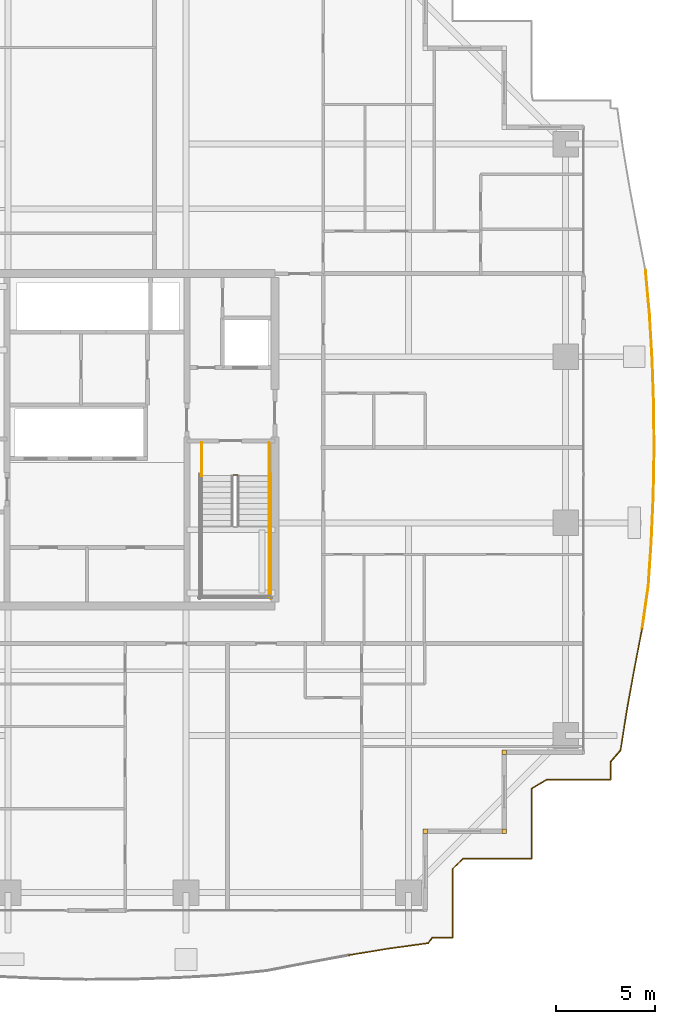
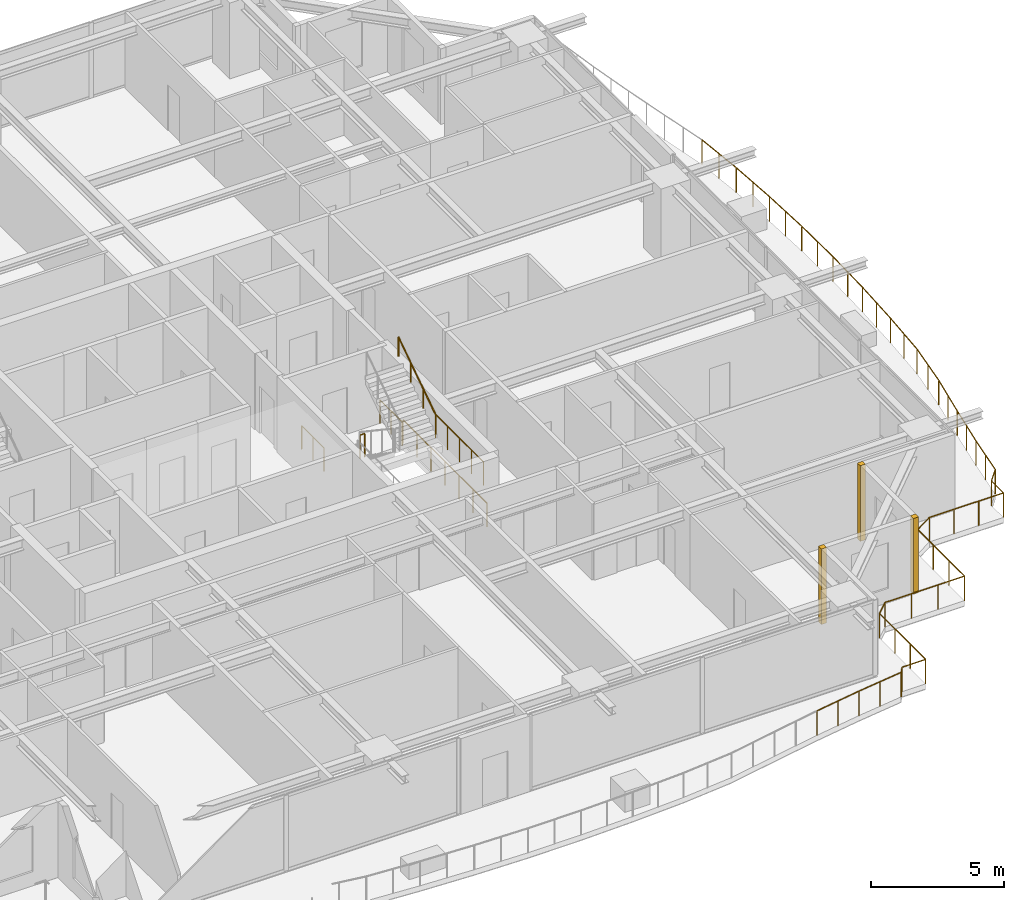
# One storey, part 35 of 36: 9 railings, 3 coverings.
"""IFC4 building model written with IfcOpenShell, lengths in metres."""

from ifc_helpers import new_model, si_unit, direction, frame, origin, origin_2d, place, context, subcontext, project, spatial, rectangle, circle, extrude, source, transform, mapped, material, layer, layer_set, type_object, element, save


model = new_model("IFC4")

# Units and contexts
model_context = context("Model", 3, precision=1e-05, world=origin(), true_north=direction((0.0, 1.0)))
body_context = subcontext(model_context, "Body", "Model", "MODEL_VIEW")
ifc_project = project(units=[si_unit("LENGTHUNIT", "METRE"), si_unit("AREAUNIT", "SQUARE_METRE"), si_unit("VOLUMEUNIT", "CUBIC_METRE"), si_unit("PLANEANGLEUNIT", "RADIAN"), si_unit("MASSUNIT", "GRAM", prefix="KILO")], contexts=[model_context])

# Site, building, storey
site_placement = place(None, origin())
site = spatial("IfcSite", under=ifc_project, at=site_placement, CompositionType="ELEMENT")
building_placement = place(site_placement, origin())
building = spatial("IfcBuilding", under=site, at=building_placement, Name="Serunith Strait Residences", CompositionType="ELEMENT")
storey_placement = place(building_placement, frame((0.0, 0.0, 131.39990234375)))
storey = spatial("IfcBuildingStorey", under=building, at=storey_placement, Name="L32", CompositionType="ELEMENT", Elevation=131.39990234375)

# Railings
ifc_material_1 = material(Name="Stainless Steel & Laminated Glass Balustrade", Category="steel")
railing_type_1 = type_object("IfcRailingType", Name="RLG-BALC-1150", PredefinedType="BALUSTRADE", material=ifc_material_1)
railing_1_placement = place(storey_placement, frame((60.139892578125, 33.77001953125, -0.0498046875)))
element("IfcRailing", 1, at=railing_1_placement, inside=storey, type_object=railing_type_1, Name="L32 Swirling Balcony Perimeter Balustrade 4", PredefinedType="BALUSTRADE", context=body_context, shape_type="SweptSolid", body=[
    extrude(circle(Radius=0.02392578125, at=origin_2d()), frame((0.000244140625, -0.001953125, 1.1259765625), z_axis=(0.090466870141, -0.995899465512, 0.0), x_axis=(0.995899465512, 0.090466870141, 0.0)), (0.0, 0.0, 1.0), 2.233154296875),
    extrude(circle(Radius=0.02392578125, at=origin_2d()), frame((0.202392578125, -2.22998046875, 1.1259765625), z_axis=(0.058476717655, -0.998288772597, 0.0), x_axis=(0.998288772597, 0.058476717655, 0.0)), (0.0, 0.0, 1.0), 2.271484375),
    extrude(circle(Radius=0.02392578125, at=origin_2d()), frame((0.33544921875, -4.50146484375, 1.1259765625), z_axis=(0.034956296936, -0.999388841895, 0.0), x_axis=(0.999388841895, 0.034956296936, 0.0)), (0.0, 0.0, 1.0), 2.293701171875),
    extrude(circle(Radius=0.02392578125, at=origin_2d()), frame((0.415771484375, -6.7978515625, 1.1259765625), z_axis=(0.008565675595, -0.999963313928, 0.0), x_axis=(0.999963313928, 0.008565675595, 0.0)), (0.0, 0.0, 1.0), 2.3046875),
    extrude(circle(Radius=0.02392578125, at=origin_2d()), frame((0.435546875, -9.1064453125, 1.1259765625), z_axis=(-0.018634908237, -0.999826355021, 0.0), x_axis=(0.999826355021, -0.018634908237, 0.0)), (0.0, 0.0, 1.0), 2.3017578125),
    extrude(circle(Radius=0.02392578125, at=origin_2d()), frame((0.392578125, -11.411865234375, 1.1259765625), z_axis=(-0.044135799157, -0.999025540831, 0.0), x_axis=(0.999025540831, -0.044135799157, 0.0)), (0.0, 0.0, 1.0), 2.2861328125),
    extrude(circle(Radius=0.02392578125, at=origin_2d()), frame((0.291259765625, -13.69970703125, 1.1259765625), z_axis=(-0.066232625327, -0.997804208922, 0.0), x_axis=(0.997804208922, -0.066232625327, 0.0)), (0.0, 0.0, 1.0), 2.25927734375),
    extrude(circle(Radius=0.02392578125, at=origin_2d()), frame((0.141357421875, -15.9580078125, 1.1259765625), z_axis=(-0.143115440517, -0.989706002147, 0.0), x_axis=(0.989706002147, -0.143115440517, 0.0)), (0.0, 0.0, 1.0), 2.19482421875),
    extrude(circle(Radius=0.02099609375, at=origin_2d()), origin(), (0.0, 0.0, 1.0), 1.099853515625),
    extrude(circle(Radius=0.02099609375, at=origin_2d()), frame((0.10107421875, -1.114013671875, 0.0)), (0.0, 0.0, 1.0), 1.099853515625),
    extrude(circle(Radius=0.02099609375, at=origin_2d()), frame((0.202392578125, -2.22802734375, 0.0)), (0.0, 0.0, 1.0), 1.099853515625),
    extrude(circle(Radius=0.02099609375, at=origin_2d()), frame((0.26904296875, -3.36376953125, 0.0)), (0.0, 0.0, 1.0), 1.099853515625),
    extrude(circle(Radius=0.02099609375, at=origin_2d()), frame((0.33544921875, -4.49951171875, 0.0)), (0.0, 0.0, 1.0), 1.099853515625),
    extrude(circle(Radius=0.02099609375, at=origin_2d()), frame((0.37548828125, -5.647705078125, 0.0)), (0.0, 0.0, 1.0), 1.099853515625),
    extrude(circle(Radius=0.02099609375, at=origin_2d()), frame((0.415771484375, -6.7958984375, 0.0)), (0.0, 0.0, 1.0), 1.099853515625),
    extrude(circle(Radius=0.02099609375, at=origin_2d()), frame((0.42578125, -7.9501953125, 0.0)), (0.0, 0.0, 1.0), 1.099853515625),
    extrude(circle(Radius=0.02099609375, at=origin_2d()), frame((0.435546875, -9.1044921875, 0.0)), (0.0, 0.0, 1.0), 1.099853515625),
    extrude(circle(Radius=0.02099609375, at=origin_2d()), frame((0.4140625, -10.25732421875, 0.0)), (0.0, 0.0, 1.0), 1.099853515625),
    extrude(circle(Radius=0.02099609375, at=origin_2d()), frame((0.392578125, -11.409912109375, 0.0)), (0.0, 0.0, 1.0), 1.099853515625),
    extrude(circle(Radius=0.02099609375, at=origin_2d()), frame((0.342041015625, -12.5537109375, 0.0)), (0.0, 0.0, 1.0), 1.099853515625),
    extrude(circle(Radius=0.02099609375, at=origin_2d()), frame((0.29150390625, -13.69775390625, 0.0)), (0.0, 0.0, 1.0), 1.099853515625),
    extrude(circle(Radius=0.02099609375, at=origin_2d()), frame((0.216552734375, -14.826904296875, 0.0)), (0.0, 0.0, 1.0), 1.099853515625),
    extrude(circle(Radius=0.02099609375, at=origin_2d()), frame((0.1416015625, -15.9560546875, 0.0)), (0.0, 0.0, 1.0), 1.099853515625),
    extrude(circle(Radius=0.02099609375, at=origin_2d()), frame((-0.015625, -17.044189453125, 0.0)), (0.0, 0.0, 1.0), 1.099853515625),
    extrude(circle(Radius=0.02099609375, at=origin_2d()), frame((-0.173095703125, -18.13232421875, 0.0)), (0.0, 0.0, 1.0), 1.099853515625),
])
railing_2_placement = place(storey_placement, frame((59.966796875, 15.6376953125, -0.0498046875)))
element("IfcRailing", 2, at=railing_2_placement, inside=storey, type_object=railing_type_1, Name="L32 Swirling Balcony Perimeter Balustrade 5", PredefinedType="BALUSTRADE", context=body_context, shape_type="SweptSolid", body=[
    extrude(circle(Radius=0.02392578125, at=origin_2d()), frame((-0.00048828125, -0.001953125, 1.1259765625), z_axis=(-0.189618358229, -0.981857870683, 0.0), x_axis=(0.981857870683, -0.189618358229, 0.0)), (0.0, 0.0, 1.0), 2.121826171875),
    extrude(circle(Radius=0.02392578125, at=origin_2d()), frame((-0.4033203125, -2.089111328125, 1.1259765625), z_axis=(-0.177703135425, -0.984084140539, 0.0), x_axis=(0.984084140539, -0.177703135425, 0.0)), (0.0, 0.0, 1.0), 2.06787109375),
    extrude(circle(Radius=0.02392578125, at=origin_2d()), frame((-0.771484375, -4.1279296875, 1.1259765625), z_axis=(-0.155321504469, -0.987863973556, 0.0), x_axis=(0.987863973556, -0.155321504469, 0.0)), (0.0, 0.0, 1.0), 2.030029296875),
    extrude(circle(Radius=0.02392578125, at=origin_2d()), frame((-1.08837890625, -6.13671875, 1.1259765625), z_axis=(-0.651131852255, -0.758964630914, 0.0), x_axis=(0.758964630914, -0.651131852255, 0.0)), (0.0, 0.0, 1.0), 0.763427734375),
    extrude(circle(Radius=0.02392578125, at=origin_2d()), frame((-1.5869140625, -6.7197265625, 1.1259765625), z_axis=(0.0, -1.0, 0.0), x_axis=(1.0, 0.0, 0.0)), (0.0, 0.0, 1.0), 0.89599609375),
    extrude(circle(Radius=0.02392578125, at=origin_2d()), frame((-1.5888671875, -7.61767578125, 1.1259765625), z_axis=(-1.0, 0.0, 0.0), x_axis=(0.0, -1.0, 0.0)), (0.0, 0.0, 1.0), 3.213134765625),
    extrude(circle(Radius=0.02392578125, at=origin_2d()), frame((-4.8056640625, -7.61865234375, 1.1259765625), z_axis=(-0.859284472606, -0.511497991333, 0.0), x_axis=(0.511497991333, -0.859284472606, 0.0)), (0.0, 0.0, 1.0), 0.9072265625),
    extrude(circle(Radius=0.02392578125, at=origin_2d()), frame((-5.5869140625, -8.085693359375, 1.1259765625), z_axis=(0.0, -1.0, 0.0), x_axis=(1.0, 0.0, 0.0)), (0.0, 0.0, 1.0), 3.530029296875),
    extrude(circle(Radius=0.02099609375, at=origin_2d()), origin(), (0.0, 0.0, 1.0), 1.099853515625),
    extrude(circle(Radius=0.02099609375, at=origin_2d()), frame((-0.20166015625, -1.04345703125, 0.0)), (0.0, 0.0, 1.0), 1.099853515625),
    extrude(circle(Radius=0.02099609375, at=origin_2d()), frame((-0.403076171875, -2.087158203125, 0.0)), (0.0, 0.0, 1.0), 1.099853515625),
    extrude(circle(Radius=0.02099609375, at=origin_2d()), frame((-0.587158203125, -3.1064453125, 0.0)), (0.0, 0.0, 1.0), 1.099853515625),
    extrude(circle(Radius=0.02099609375, at=origin_2d()), frame((-0.771240234375, -4.1259765625, 0.0)), (0.0, 0.0, 1.0), 1.099853515625),
    extrude(circle(Radius=0.02099609375, at=origin_2d()), frame((-0.92919921875, -5.130615234375, 0.0)), (0.0, 0.0, 1.0), 1.099853515625),
    extrude(circle(Radius=0.02099609375, at=origin_2d()), frame((-1.087158203125, -6.13525390625, 0.0)), (0.0, 0.0, 1.0), 1.099853515625),
    extrude(circle(Radius=0.02099609375, at=origin_2d()), frame((-1.5869140625, -6.7177734375, 0.0)), (0.0, 0.0, 1.0), 1.099853515625),
    extrude(circle(Radius=0.02099609375, at=origin_2d()), frame((-1.5869140625, -7.61767578125, 0.0)), (0.0, 0.0, 1.0), 1.099853515625),
    extrude(circle(Radius=0.02099609375, at=origin_2d()), frame((-2.6591796875, -7.61767578125, 0.0)), (0.0, 0.0, 1.0), 1.099853515625),
    extrude(circle(Radius=0.02099609375, at=origin_2d()), frame((-3.731689453125, -7.61767578125, 0.0)), (0.0, 0.0, 1.0), 1.099853515625),
    extrude(circle(Radius=0.02099609375, at=origin_2d()), frame((-4.803955078125, -7.61767578125, 0.0)), (0.0, 0.0, 1.0), 1.099853515625),
    extrude(circle(Radius=0.02099609375, at=origin_2d()), frame((-5.5869140625, -8.083740234375, 0.0)), (0.0, 0.0, 1.0), 1.099853515625),
    extrude(circle(Radius=0.02099609375, at=origin_2d()), frame((-5.5869140625, -9.26171875, 0.0)), (0.0, 0.0, 1.0), 1.099853515625),
    extrude(circle(Radius=0.02099609375, at=origin_2d()), frame((-5.5869140625, -10.439697265625, 0.0)), (0.0, 0.0, 1.0), 1.099853515625),
    extrude(circle(Radius=0.02099609375, at=origin_2d()), frame((-5.5869140625, -11.61767578125, 0.0)), (0.0, 0.0, 1.0), 1.099853515625),
])
railing_3_placement = place(storey_placement, frame((54.3798828125, 4.02001953125, -0.0498046875)))
element("IfcRailing", 3, at=railing_3_placement, inside=storey, type_object=railing_type_1, Name="L32 Swirling Balcony Perimeter Balustrade 6", PredefinedType="BALUSTRADE", context=body_context, shape_type="SweptSolid", body=[
    extrude(circle(Radius=0.02392578125, at=origin_2d()), frame((-0.001953125, 0.0, 1.1259765625), z_axis=(-1.0, 0.0, 0.0), x_axis=(0.0, -1.0, 0.0)), (0.0, 0.0, 1.0), 3.453857421875),
    extrude(circle(Radius=0.02392578125, at=origin_2d()), frame((-3.459228515625, -0.00146484375, 1.1259765625), z_axis=(-0.721737893974, -0.692166462928, 0.0), x_axis=(0.692166462928, -0.721737893974, 0.0)), (0.0, 0.0, 1.0), 0.747314453125),
    extrude(circle(Radius=0.02392578125, at=origin_2d()), frame((-4.0, -0.52197265625, 1.1259765625), z_axis=(0.0, -1.0, 0.0), x_axis=(1.0, 0.0, 0.0)), (0.0, 0.0, 1.0), 3.47607421875),
    extrude(circle(Radius=0.02392578125, at=origin_2d()), frame((-4.001953125, -4.0, 1.1259765625), z_axis=(-1.0, 0.0, 0.0), x_axis=(0.0, -1.0, 0.0)), (0.0, 0.0, 1.0), 1.021484375),
    extrude(circle(Radius=0.02392578125, at=origin_2d()), frame((-5.026611328125, -4.001708984375, 1.1259765625), z_axis=(-0.583072965227, -0.812419791254, 0.0), x_axis=(0.812419791254, -0.583072965227, 0.0)), (0.0, 0.0, 1.0), 0.335693359375),
    extrude(circle(Radius=0.02392578125, at=origin_2d()), frame((-5.225341796875, -4.276123046875, 1.1259765625), z_axis=(-0.990746058446, -0.135728580901, 0.0), x_axis=(0.135728580901, -0.990746058446, 0.0)), (0.0, 0.0, 1.0), 2.01416015625),
    extrude(circle(Radius=0.02392578125, at=origin_2d()), frame((-7.224853515625, -4.550048828125, 1.1259765625), z_axis=(-0.986733775928, -0.162346713678, 0.0), x_axis=(0.162346713678, -0.986733775928, 0.0)), (0.0, 0.0, 1.0), 2.041259765625),
    extrude(circle(Radius=0.02099609375, at=origin_2d()), origin(), (0.0, 0.0, 1.0), 1.099853515625),
    extrude(circle(Radius=0.02099609375, at=origin_2d()), frame((-1.152587890625, 0.0, 0.0)), (0.0, 0.0, 1.0), 1.099853515625),
    extrude(circle(Radius=0.02099609375, at=origin_2d()), frame((-2.30517578125, 0.0, 0.0)), (0.0, 0.0, 1.0), 1.099853515625),
    extrude(circle(Radius=0.02099609375, at=origin_2d()), frame((-3.457763671875, 0.0, 0.0)), (0.0, 0.0, 1.0), 1.099853515625),
    extrude(circle(Radius=0.02099609375, at=origin_2d()), frame((-4.0, -0.52001953125, 0.0)), (0.0, 0.0, 1.0), 1.099853515625),
    extrude(circle(Radius=0.02099609375, at=origin_2d()), frame((-4.0, -1.679931640625, 0.0)), (0.0, 0.0, 1.0), 1.099853515625),
    extrude(circle(Radius=0.02099609375, at=origin_2d()), frame((-4.0, -2.840087890625, 0.0)), (0.0, 0.0, 1.0), 1.099853515625),
    extrude(circle(Radius=0.02099609375, at=origin_2d()), frame((-4.0, -4.0, 0.0)), (0.0, 0.0, 1.0), 1.099853515625),
    extrude(circle(Radius=0.02099609375, at=origin_2d()), frame((-5.025390625, -4.0, 0.0)), (0.0, 0.0, 1.0), 1.099853515625),
    extrude(circle(Radius=0.02099609375, at=origin_2d()), frame((-5.223388671875, -4.27587890625, 0.0)), (0.0, 0.0, 1.0), 1.099853515625),
    extrude(circle(Radius=0.02099609375, at=origin_2d()), frame((-6.22314453125, -4.412841796875, 0.0)), (0.0, 0.0, 1.0), 1.099853515625),
    extrude(circle(Radius=0.02099609375, at=origin_2d()), frame((-7.222900390625, -4.5498046875, 0.0)), (0.0, 0.0, 1.0), 1.099853515625),
    extrude(circle(Radius=0.02099609375, at=origin_2d()), frame((-8.23193359375, -4.7158203125, 0.0)), (0.0, 0.0, 1.0), 1.099853515625),
    extrude(circle(Radius=0.02099609375, at=origin_2d()), frame((-9.240966796875, -4.8818359375, 0.0)), (0.0, 0.0, 1.0), 1.099853515625),
])
ifc_material_2 = material(Name="Brushed stainless steel 316L", Category="steel")
railing_type_2 = type_object("IfcRailingType", Name="RLG-STAIR-GUARD", PredefinedType="BALUSTRADE", material=ifc_material_2)
railing_4_placement = place(storey_placement, frame((41.10009765625, 20.85009765625, 1.875)))
element("IfcRailing", 4, at=railing_4_placement, inside=storey, type_object=railing_type_2, Name="L32 ST-2 stair guard 4", PredefinedType="BALUSTRADE", context=body_context, shape_type="SweptSolid", body=[
    extrude(circle(Radius=0.02392578125, at=origin_2d()), frame((0.0, -0.001953125, 1.076171875), z_axis=(0.0, -1.0, 0.0), x_axis=(1.0, 0.0, 0.0)), (0.0, 0.0, 1.0), 3.59619140625),
    extrude(circle(Radius=0.02099609375, at=origin_2d()), origin(), (0.0, 0.0, 1.0), 1.050048828125),
    extrude(circle(Radius=0.02099609375, at=origin_2d()), frame((0.0, -0.89990234375, 0.0)), (0.0, 0.0, 1.0), 1.050048828125),
    extrude(circle(Radius=0.02099609375, at=origin_2d()), frame((0.0, -1.800048828125, 0.0)), (0.0, 0.0, 1.0), 1.050048828125),
    extrude(circle(Radius=0.02099609375, at=origin_2d()), frame((0.0, -2.7001953125, 0.0)), (0.0, 0.0, 1.0), 1.050048828125),
    extrude(circle(Radius=0.02099609375, at=origin_2d()), frame((0.0, -3.60009765625, 0.0)), (0.0, 0.0, 1.0), 1.050048828125),
])
railing_5_placement = place(storey_placement, frame((39.300048828125, 23.419921875, 0.0)))
element("IfcRailing", 5, at=railing_5_placement, inside=storey, type_object=railing_type_2, Name="L32 ST-2 stair guard 7", PredefinedType="BALUSTRADE", context=body_context, shape_type="SweptSolid", body=[
    extrude(circle(Radius=0.02392578125, at=origin_2d()), frame((0.001953125, 0.0, 1.076171875), z_axis=(1.0, 0.0, 0.0), x_axis=(0.0, 1.0, 0.0)), (0.0, 0.0, 1.0), 0.196044921875),
    extrude(circle(Radius=0.02099609375, at=origin_2d()), origin(), (0.0, 0.0, 1.0), 1.050048828125),
    extrude(circle(Radius=0.02099609375, at=origin_2d()), frame((0.199951171875, 0.0, 0.0)), (0.0, 0.0, 1.0), 1.050048828125),
])
for number, where, name in (
    (6, (37.699951171875, 25.050048828125, 0.0), "L32 ST-2 stair guard 8"),
    (7, (41.10009765625, 25.050048828125, 0.0), "L32 ST-2 stair guard 9"),
):
    element("IfcRailing", number, at=place(storey_placement, frame(where)), inside=storey, type_object=railing_type_2, Name=name, PredefinedType="BALUSTRADE", context=body_context, shape_type="SweptSolid", body=[
        extrude(circle(Radius=0.02392578125, at=origin_2d()), frame((0.0, -0.001953125, 1.076171875), z_axis=(0.0, -1.0, 0.0), x_axis=(1.0, 0.0, 0.0)), (0.0, 0.0, 1.0), 1.676025390625),
        extrude(circle(Radius=0.02099609375, at=origin_2d()), origin(), (0.0, 0.0, 1.0), 1.050048828125),
        extrude(circle(Radius=0.02099609375, at=origin_2d()), frame((0.0, -0.83984375, 0.0)), (0.0, 0.0, 1.0), 1.050048828125),
        extrude(circle(Radius=0.02099609375, at=origin_2d()), frame((0.0, -1.679931640625, 0.0)), (0.0, 0.0, 1.0), 1.050048828125),
    ])
railing_6_placement = place(storey_placement, frame((41.199951171875, 23.469970703125, 0.0)))
element("IfcRailing", 8, at=railing_6_placement, inside=storey, type_object=railing_type_2, Name="L32 ST-2 stair guard 11", PredefinedType="BALUSTRADE", context=body_context, shape_type="SweptSolid", body=[
    extrude(circle(Radius=0.02392578125, at=origin_2d()), frame((0.0, -0.001953125, 1.076171875), z_axis=(0.0, -1.0, 0.0), x_axis=(1.0, 0.0, 0.0)), (0.0, 0.0, 1.0), 6.316162109375),
    extrude(circle(Radius=0.02099609375, at=origin_2d()), origin(), (0.0, 0.0, 1.0), 1.050048828125),
    extrude(circle(Radius=0.02099609375, at=origin_2d()), frame((0.0, -1.05322265625, 0.0)), (0.0, 0.0, 1.0), 1.050048828125),
    extrude(circle(Radius=0.02099609375, at=origin_2d()), frame((0.0, -2.106689453125, 0.0)), (0.0, 0.0, 1.0), 1.050048828125),
    extrude(circle(Radius=0.02099609375, at=origin_2d()), frame((0.0, -3.16015625, 0.0)), (0.0, 0.0, 1.0), 1.050048828125),
    extrude(circle(Radius=0.02099609375, at=origin_2d()), frame((0.0, -4.21337890625, 0.0)), (0.0, 0.0, 1.0), 1.050048828125),
    extrude(circle(Radius=0.02099609375, at=origin_2d()), frame((0.0, -5.2666015625, 0.0)), (0.0, 0.0, 1.0), 1.050048828125),
    extrude(circle(Radius=0.02099609375, at=origin_2d()), frame((0.0, -6.320068359375, 0.0)), (0.0, 0.0, 1.0), 1.050048828125),
])
railing_type_3 = type_object("IfcRailingType", Name="RLG-STAIR-HR", PredefinedType="HANDRAIL", material=ifc_material_2)
railing_7_placement = place(storey_placement, frame((41.10009765625, 20.85009765625, 2.0625)))
element("IfcRailing", 9, at=railing_7_placement, inside=storey, type_object=railing_type_3, Name="L32 ST-2 stair handrail 2", PredefinedType="HANDRAIL", context=body_context, shape_type="SweptSolid", body=[
    extrude(circle(Radius=0.02392578125, at=origin_2d()), frame((0.0, 0.001708984375, 0.876953125), z_axis=(0.0, 0.830185712471, 0.557486935101), x_axis=(-1.0, 0.0, 0.0)), (0.0, 0.0, 1.0), 3.368408203125),
    extrude(circle(Radius=0.02099609375, at=origin_2d()), origin(), (0.0, 0.0, 1.0), 0.849853515625),
    extrude(circle(Radius=0.02099609375, at=origin_2d()), frame((0.0, 0.933349609375, 0.626708984375)), (0.0, 0.0, 1.0), 0.849853515625),
    extrude(circle(Radius=0.02099609375, at=origin_2d()), frame((0.0, 1.866455078125, 1.25341796875)), (0.0, 0.0, 1.0), 0.849853515625),
    extrude(circle(Radius=0.02099609375, at=origin_2d()), frame((0.0, 2.7998046875, 1.880126953125)), (0.0, 0.0, 1.0), 0.849853515625),
])

# Coverings
ifc_material_3 = material(Name="Pale-Champagne Anodised Aluminium", Category="aluminium")
ifc_layer = layer(ifc_material_3, 0.219970703125, Name="Pale-Champagne Anodised Aluminium")
ifc_layer_set = layer_set([ifc_layer], Name="Pale-Champagne Anodised Aluminium")
covering_type = type_object("IfcCoveringType", Name="COV-CORN-TRIM", PredefinedType="CLADDING", material=ifc_layer_set)
shared_shape = source(origin(), body_context, "Body", "SweptSolid", [
    extrude(rectangle(XDim=0.221923828125, YDim=0.221923828125, at=origin_2d()), origin(), (0.0, 0.0, 1.0), 3.47509765625),
])
for number, where, z_axis, x_axis, name in (
    (10, (49.0, 5.39990234375, 0.0), (0.0, 0.0, 1.0), (1.0, 0.0, 0.0), "L32 Girih Serrated Corner Trim Post 02"),
    (11, (53.0, 5.39990234375, 0.0), (0.0, 0.0, 1.0), (1.0, 0.0, 0.0), "L32 Girih Serrated Corner Trim Post 03"),
    (12, (53.0, 9.39990234375, 0.0), (0.0, 0.0, 1.0), (1.0, 0.0, 0.0), "L32 Girih Serrated Corner Trim Post 04"),
):
    element("IfcCovering", number, at=place(storey_placement, frame(where, z_axis=z_axis, x_axis=x_axis)), inside=storey, type_object=covering_type, Name=name, PredefinedType="CLADDING", context=body_context, shape_type="MappedRepresentation", body=[
        mapped(shared_shape, transform((0.0, 0.0, 0.0), scale=1.0)),
    ])

save(model, "model.ifc")
